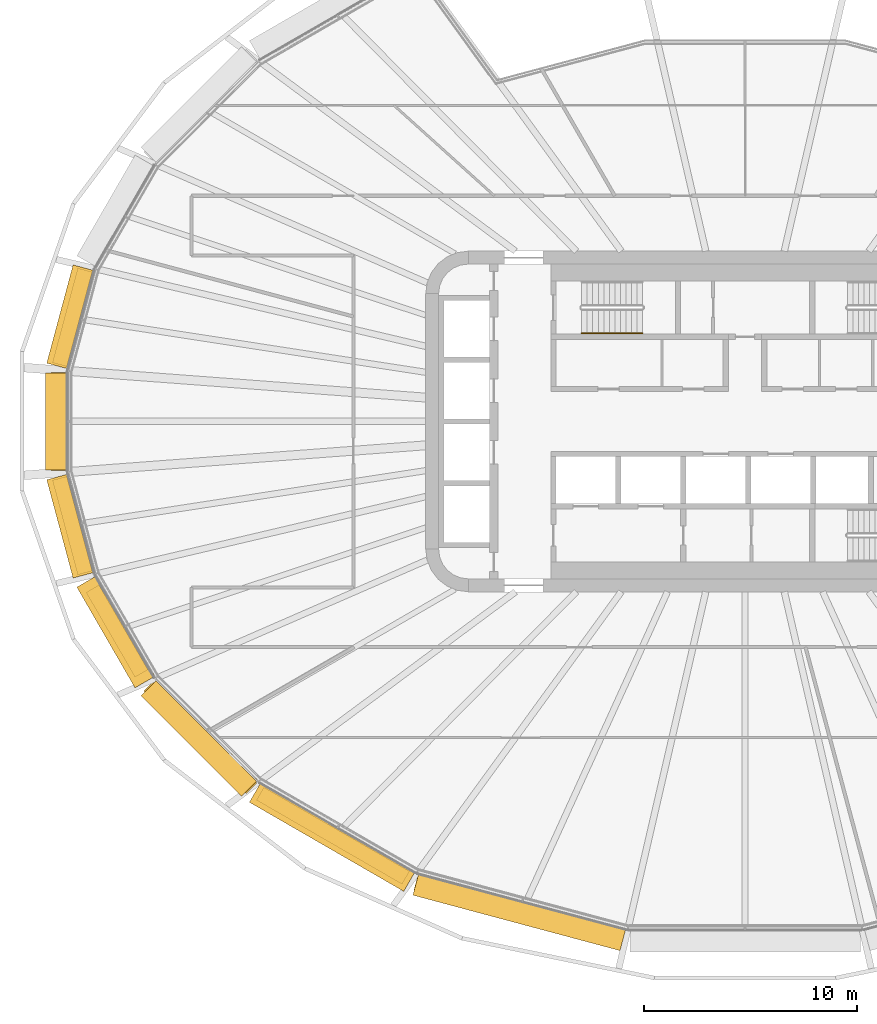
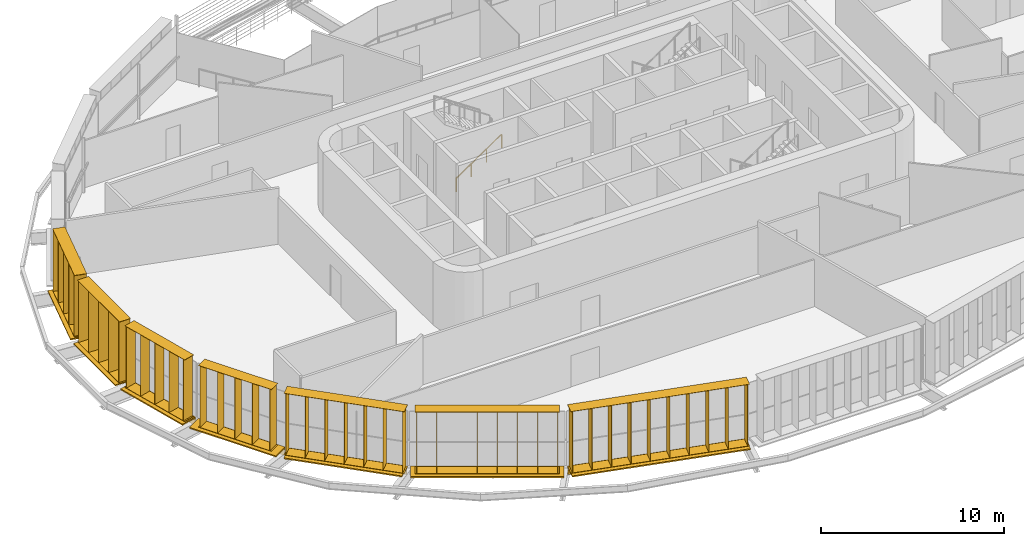
# One storey, part 19 of 24: 14 shading devices, 1 railing.
"""IFC4 building model written with IfcOpenShell, lengths in metres."""

from ifc_helpers import new_model, si_unit, direction, frame, origin, origin_2d, place, context, subcontext, project, spatial, rectangle, circle, extrude, material, type_object, element, save


model = new_model("IFC4")

# Units and contexts
model_context = context("Model", 3, precision=1e-05, world=origin(), true_north=direction((0.0, 1.0)))
body_context = subcontext(model_context, "Body", "Model", "MODEL_VIEW")
ifc_project = project(units=[si_unit("LENGTHUNIT", "METRE"), si_unit("AREAUNIT", "SQUARE_METRE"), si_unit("VOLUMEUNIT", "CUBIC_METRE"), si_unit("PLANEANGLEUNIT", "RADIAN"), si_unit("MASSUNIT", "GRAM", prefix="KILO")], contexts=[model_context])

# Site, building, storey
site_placement = place(None, origin())
site = spatial("IfcSite", under=ifc_project, at=site_placement, CompositionType="ELEMENT")
building_placement = place(site_placement, origin())
building = spatial("IfcBuilding", under=site, at=building_placement, Name="Sahrelin Media Tower", CompositionType="ELEMENT")
storey_placement = place(building_placement, frame((0.0, 0.0, 123.0)))
storey = spatial("IfcBuildingStorey", under=building, at=storey_placement, Name="L24", CompositionType="ELEMENT", Elevation=123.0)

# Shading devices
ifc_material_1 = material(Name="Champagne anodised aluminium 6063-T6", Category="aluminium")
shading_device_type_1 = type_object("IfcShadingDeviceType", Name="Fin cassette", PredefinedType="USERDEFINED", material=ifc_material_1)
placement_1 = place(storey_placement, frame((-31.198486328125, 4.78271484375, 0.0), z_axis=(0.0, 0.0, 1.0), x_axis=(0.258807731996, 0.965928857556, 0.0)))
element("IfcShadingDevice", 1, at=placement_1, inside=storey, type_object=shading_device_type_1, Name="L24:FIN:L24-11", ObjectType="FIN", PredefinedType="USERDEFINED", context=body_context, shape_type="SweptSolid", body=[
    extrude(rectangle(XDim=4.60009765625, YDim=0.699951171875, at=origin_2d()), frame((0.0, 0.419921875, 0.0)), (0.0, 0.0, 1.0), 0.02001953125),
    extrude(rectangle(XDim=4.60009765625, YDim=0.699951171875, at=origin_2d()), frame((0.0, 0.419921875, 4.10009765625)), (0.0, 0.0, 1.0), 0.02001953125),
    extrude(rectangle(XDim=0.02001953125, YDim=0.699951171875, at=origin_2d()), frame((-2.199951171875, 0.419921875, 0.010009765625), z_axis=(0.0, 0.0, 1.0), x_axis=(1.0, 0.0, 0.0)), (0.0, 0.0, 1.0), 4.10009765625),
    extrude(rectangle(XDim=0.02001953125, YDim=0.699951171875, at=origin_2d()), frame((-1.10009765625, 0.419921875, 0.010009765625), z_axis=(0.0, 0.0, 1.0), x_axis=(1.0, 0.0, 0.0)), (0.0, 0.0, 1.0), 4.10009765625),
    extrude(rectangle(XDim=0.02001953125, YDim=0.699951171875, at=origin_2d()), frame((0.0, 0.419921875, 0.010009765625), z_axis=(0.0, 0.0, 1.0), x_axis=(1.0, 0.0, 0.0)), (0.0, 0.0, 1.0), 4.10009765625),
    extrude(rectangle(XDim=0.02001953125, YDim=0.699951171875, at=origin_2d()), frame((1.10009765625, 0.419921875, 0.010009765625), z_axis=(0.0, 0.0, 1.0), x_axis=(1.0, 0.0, 0.0)), (0.0, 0.0, 1.0), 4.10009765625),
    extrude(rectangle(XDim=0.02001953125, YDim=0.699951171875, at=origin_2d()), frame((2.199951171875, 0.419921875, 0.010009765625), z_axis=(0.0, 0.0, 1.0), x_axis=(1.0, 0.0, 0.0)), (0.0, 0.0, 1.0), 4.10009765625),
])
placement_2 = place(storey_placement, frame((-31.84228515625, 0.0, 0.0), z_axis=(0.0, 0.0, 1.0), x_axis=(0.0, 1.0, 0.0)))
element("IfcShadingDevice", 2, at=placement_2, inside=storey, type_object=shading_device_type_1, Name="L24:FIN:L24-12", ObjectType="FIN", PredefinedType="USERDEFINED", context=body_context, shape_type="SweptSolid", body=[
    extrude(rectangle(XDim=4.60009765625, YDim=0.699951171875, at=origin_2d()), frame((0.0, 0.419921875, 0.0)), (0.0, 0.0, 1.0), 0.02001953125),
    extrude(rectangle(XDim=4.60009765625, YDim=0.699951171875, at=origin_2d()), frame((0.0, 0.419921875, 4.10009765625)), (0.0, 0.0, 1.0), 0.02001953125),
    extrude(rectangle(XDim=0.02001953125, YDim=0.699951171875, at=origin_2d()), frame((-2.199951171875, 0.419921875, 0.010009765625), z_axis=(0.0, 0.0, 1.0), x_axis=(1.0, 0.0, 0.0)), (0.0, 0.0, 1.0), 4.10009765625),
    extrude(rectangle(XDim=0.02001953125, YDim=0.699951171875, at=origin_2d()), frame((-1.10009765625, 0.419921875, 0.010009765625), z_axis=(0.0, 0.0, 1.0), x_axis=(1.0, 0.0, 0.0)), (0.0, 0.0, 1.0), 4.10009765625),
    extrude(rectangle(XDim=0.02001953125, YDim=0.699951171875, at=origin_2d()), frame((0.0, 0.419921875, 0.010009765625), z_axis=(0.0, 0.0, 1.0), x_axis=(1.0, 0.0, 0.0)), (0.0, 0.0, 1.0), 4.10009765625),
    extrude(rectangle(XDim=0.02001953125, YDim=0.699951171875, at=origin_2d()), frame((1.10009765625, 0.419921875, 0.010009765625), z_axis=(0.0, 0.0, 1.0), x_axis=(1.0, 0.0, 0.0)), (0.0, 0.0, 1.0), 4.10009765625),
    extrude(rectangle(XDim=0.02001953125, YDim=0.699951171875, at=origin_2d()), frame((2.199951171875, 0.419921875, 0.010009765625), z_axis=(0.0, 0.0, 1.0), x_axis=(1.0, 0.0, 0.0)), (0.0, 0.0, 1.0), 4.10009765625),
])
placement_3 = place(storey_placement, frame((-31.198486328125, -4.78271484375, 0.0), z_axis=(0.0, 0.0, 1.0), x_axis=(-0.258807731996, 0.965928857556, 0.0)))
element("IfcShadingDevice", 3, at=placement_3, inside=storey, type_object=shading_device_type_1, Name="L24:FIN:L24-13", ObjectType="FIN", PredefinedType="USERDEFINED", context=body_context, shape_type="SweptSolid", body=[
    extrude(rectangle(XDim=4.60009765625, YDim=0.699951171875, at=origin_2d()), frame((0.0, 0.419921875, 0.0)), (0.0, 0.0, 1.0), 0.02001953125),
    extrude(rectangle(XDim=4.60009765625, YDim=0.699951171875, at=origin_2d()), frame((0.0, 0.419921875, 4.10009765625)), (0.0, 0.0, 1.0), 0.02001953125),
    extrude(rectangle(XDim=0.02001953125, YDim=0.699951171875, at=origin_2d()), frame((-2.199951171875, 0.419921875, 0.010009765625), z_axis=(0.0, 0.0, 1.0), x_axis=(1.0, 0.0, 0.0)), (0.0, 0.0, 1.0), 4.10009765625),
    extrude(rectangle(XDim=0.02001953125, YDim=0.699951171875, at=origin_2d()), frame((-1.10009765625, 0.419921875, 0.010009765625), z_axis=(0.0, 0.0, 1.0), x_axis=(1.0, 0.0, 0.0)), (0.0, 0.0, 1.0), 4.10009765625),
    extrude(rectangle(XDim=0.02001953125, YDim=0.699951171875, at=origin_2d()), frame((0.0, 0.419921875, 0.010009765625), z_axis=(0.0, 0.0, 1.0), x_axis=(1.0, 0.0, 0.0)), (0.0, 0.0, 1.0), 4.10009765625),
    extrude(rectangle(XDim=0.02001953125, YDim=0.699951171875, at=origin_2d()), frame((1.10009765625, 0.419921875, 0.010009765625), z_axis=(0.0, 0.0, 1.0), x_axis=(1.0, 0.0, 0.0)), (0.0, 0.0, 1.0), 4.10009765625),
    extrude(rectangle(XDim=0.02001953125, YDim=0.699951171875, at=origin_2d()), frame((2.199951171875, 0.419921875, 0.010009765625), z_axis=(0.0, 0.0, 1.0), x_axis=(1.0, 0.0, 0.0)), (0.0, 0.0, 1.0), 4.10009765625),
])
placement_4 = place(storey_placement, frame((-29.138916015625, -9.63818359375, 0.0), z_axis=(0.0, 0.0, 1.0), x_axis=(-0.500011000363, 0.866019052629, 0.0)))
element("IfcShadingDevice", 4, at=placement_4, inside=storey, type_object=shading_device_type_1, Name="L24:FIN:L24-14", ObjectType="FIN", PredefinedType="USERDEFINED", context=body_context, shape_type="SweptSolid", body=[
    extrude(rectangle(XDim=4.60009765625, YDim=0.699951171875, at=origin_2d()), frame((0.0, 0.419921875, 0.0)), (0.0, 0.0, 1.0), 0.02001953125),
    extrude(rectangle(XDim=4.60009765625, YDim=0.699951171875, at=origin_2d()), frame((0.0, 0.419921875, 4.10009765625)), (0.0, 0.0, 1.0), 0.02001953125),
    extrude(rectangle(XDim=0.02001953125, YDim=0.699951171875, at=origin_2d()), frame((-2.199951171875, 0.419921875, 0.010009765625), z_axis=(0.0, 0.0, 1.0), x_axis=(1.0, 0.0, 0.0)), (0.0, 0.0, 1.0), 4.10009765625),
    extrude(rectangle(XDim=0.02001953125, YDim=0.699951171875, at=origin_2d()), frame((-1.10009765625, 0.419921875, 0.010009765625), z_axis=(0.0, 0.0, 1.0), x_axis=(1.0, 0.0, 0.0)), (0.0, 0.0, 1.0), 4.10009765625),
    extrude(rectangle(XDim=0.02001953125, YDim=0.699951171875, at=origin_2d()), frame((0.0, 0.419921875, 0.010009765625), z_axis=(0.0, 0.0, 1.0), x_axis=(1.0, 0.0, 0.0)), (0.0, 0.0, 1.0), 4.10009765625),
    extrude(rectangle(XDim=0.02001953125, YDim=0.699951171875, at=origin_2d()), frame((1.10009765625, 0.419921875, 0.010009765625), z_axis=(0.0, 0.0, 1.0), x_axis=(1.0, 0.0, 0.0)), (0.0, 0.0, 1.0), 4.10009765625),
    extrude(rectangle(XDim=0.02001953125, YDim=0.699951171875, at=origin_2d()), frame((2.199951171875, 0.419921875, 0.010009765625), z_axis=(0.0, 0.0, 1.0), x_axis=(1.0, 0.0, 0.0)), (0.0, 0.0, 1.0), 4.10009765625),
])
placement_5 = place(storey_placement, frame((-25.291259765625, -14.52197265625, 0.0), z_axis=(0.0, 0.0, 1.0), x_axis=(-0.707106781187, 0.707106781187, 0.0)))
element("IfcShadingDevice", 5, at=placement_5, inside=storey, type_object=shading_device_type_1, Name="L24:FIN:L24-15", ObjectType="FIN", PredefinedType="USERDEFINED", context=body_context, shape_type="SweptSolid", body=[
    extrude(rectangle(XDim=6.800048828125, YDim=0.699951171875, at=origin_2d()), frame((0.0, 0.419921875, 0.0)), (0.0, 0.0, 1.0), 0.02001953125),
    extrude(rectangle(XDim=6.800048828125, YDim=0.699951171875, at=origin_2d()), frame((0.0, 0.419921875, 4.10009765625)), (0.0, 0.0, 1.0), 0.02001953125),
    extrude(rectangle(XDim=0.02001953125, YDim=0.699951171875, at=origin_2d()), frame((-3.300048828125, 0.419921875, 0.010009765625), z_axis=(0.0, 0.0, 1.0), x_axis=(1.0, 0.0, 0.0)), (0.0, 0.0, 1.0), 4.10009765625),
    extrude(rectangle(XDim=0.02001953125, YDim=0.699951171875, at=origin_2d()), frame((-2.199951171875, 0.419921875, 0.010009765625), z_axis=(0.0, 0.0, 1.0), x_axis=(1.0, 0.0, 0.0)), (0.0, 0.0, 1.0), 4.10009765625),
    extrude(rectangle(XDim=0.02001953125, YDim=0.699951171875, at=origin_2d()), frame((-1.10009765625, 0.419921875, 0.010009765625), z_axis=(0.0, 0.0, 1.0), x_axis=(1.0, 0.0, 0.0)), (0.0, 0.0, 1.0), 4.10009765625),
    extrude(rectangle(XDim=0.02001953125, YDim=0.699951171875, at=origin_2d()), frame((0.0, 0.419921875, 0.010009765625), z_axis=(0.0, 0.0, 1.0), x_axis=(1.0, 0.0, 0.0)), (0.0, 0.0, 1.0), 4.10009765625),
    extrude(rectangle(XDim=0.02001953125, YDim=0.699951171875, at=origin_2d()), frame((1.10009765625, 0.419921875, 0.010009765625), z_axis=(0.0, 0.0, 1.0), x_axis=(1.0, 0.0, 0.0)), (0.0, 0.0, 1.0), 4.10009765625),
    extrude(rectangle(XDim=0.02001953125, YDim=0.699951171875, at=origin_2d()), frame((2.199951171875, 0.419921875, 0.010009765625), z_axis=(0.0, 0.0, 1.0), x_axis=(1.0, 0.0, 0.0)), (0.0, 0.0, 1.0), 4.10009765625),
    extrude(rectangle(XDim=0.02001953125, YDim=0.699951171875, at=origin_2d()), frame((3.300048828125, 0.419921875, 0.010009765625), z_axis=(0.0, 0.0, 1.0), x_axis=(1.0, 0.0, 0.0)), (0.0, 0.0, 1.0), 4.10009765625),
])
placement_6 = place(storey_placement, frame((-19.147216796875, -19.09716796875, 0.0), z_axis=(0.0, 0.0, 1.0), x_axis=(-0.866019052629, 0.500011000363, 0.0)))
element("IfcShadingDevice", 6, at=placement_6, inside=storey, type_object=shading_device_type_1, Name="L24:FIN:L24-16", ObjectType="FIN", PredefinedType="USERDEFINED", context=body_context, shape_type="SweptSolid", body=[
    extrude(rectangle(XDim=7.89990234375, YDim=0.699951171875, at=origin_2d()), frame((0.0, 0.419921875, 0.0)), (0.0, 0.0, 1.0), 0.02001953125),
    extrude(rectangle(XDim=7.89990234375, YDim=0.699951171875, at=origin_2d()), frame((0.0, 0.419921875, 4.10009765625)), (0.0, 0.0, 1.0), 0.02001953125),
    extrude(rectangle(XDim=0.02001953125, YDim=0.699951171875, at=origin_2d()), frame((-3.85009765625, 0.419921875, 0.010009765625), z_axis=(0.0, 0.0, 1.0), x_axis=(1.0, 0.0, 0.0)), (0.0, 0.0, 1.0), 4.10009765625),
    extrude(rectangle(XDim=0.02001953125, YDim=0.699951171875, at=origin_2d()), frame((-2.75, 0.419921875, 0.010009765625), z_axis=(0.0, 0.0, 1.0), x_axis=(1.0, 0.0, 0.0)), (0.0, 0.0, 1.0), 4.10009765625),
    extrude(rectangle(XDim=0.02001953125, YDim=0.699951171875, at=origin_2d()), frame((-1.64990234375, 0.419921875, 0.010009765625), z_axis=(0.0, 0.0, 1.0), x_axis=(1.0, 0.0, 0.0)), (0.0, 0.0, 1.0), 4.10009765625),
    extrude(rectangle(XDim=0.02001953125, YDim=0.699951171875, at=origin_2d()), frame((-0.550048828125, 0.419921875, 0.010009765625), z_axis=(0.0, 0.0, 1.0), x_axis=(1.0, 0.0, 0.0)), (0.0, 0.0, 1.0), 4.10009765625),
    extrude(rectangle(XDim=0.02001953125, YDim=0.699951171875, at=origin_2d()), frame((0.550048828125, 0.419921875, 0.010009765625), z_axis=(0.0, 0.0, 1.0), x_axis=(1.0, 0.0, 0.0)), (0.0, 0.0, 1.0), 4.10009765625),
    extrude(rectangle(XDim=0.02001953125, YDim=0.699951171875, at=origin_2d()), frame((1.64990234375, 0.419921875, 0.010009765625), z_axis=(0.0, 0.0, 1.0), x_axis=(1.0, 0.0, 0.0)), (0.0, 0.0, 1.0), 4.10009765625),
    extrude(rectangle(XDim=0.02001953125, YDim=0.699951171875, at=origin_2d()), frame((2.75, 0.419921875, 0.010009765625), z_axis=(0.0, 0.0, 1.0), x_axis=(1.0, 0.0, 0.0)), (0.0, 0.0, 1.0), 4.10009765625),
    extrude(rectangle(XDim=0.02001953125, YDim=0.699951171875, at=origin_2d()), frame((3.85009765625, 0.419921875, 0.010009765625), z_axis=(0.0, 0.0, 1.0), x_axis=(1.0, 0.0, 0.0)), (0.0, 0.0, 1.0), 4.10009765625),
])
placement_7 = place(storey_placement, frame((-10.474609375, -22.569580078125, 0.0), z_axis=(0.0, 0.0, 1.0), x_axis=(-0.965928857556, 0.258807731996, 0.0)))
element("IfcShadingDevice", 7, at=placement_7, inside=storey, type_object=shading_device_type_1, Name="L24:FIN:L24-17", ObjectType="FIN", PredefinedType="USERDEFINED", context=body_context, shape_type="SweptSolid", body=[
    extrude(rectangle(XDim=10.10009765625, YDim=0.699951171875, at=origin_2d()), frame((0.0, 0.419921875, 0.0)), (0.0, 0.0, 1.0), 0.02001953125),
    extrude(rectangle(XDim=10.10009765625, YDim=0.699951171875, at=origin_2d()), frame((0.0, 0.419921875, 4.10009765625)), (0.0, 0.0, 1.0), 0.02001953125),
    extrude(rectangle(XDim=0.02001953125, YDim=0.699951171875, at=origin_2d()), frame((-4.949951171875, 0.419921875, 0.010009765625), z_axis=(0.0, 0.0, 1.0), x_axis=(1.0, 0.0, 0.0)), (0.0, 0.0, 1.0), 4.10009765625),
    extrude(rectangle(XDim=0.02001953125, YDim=0.699951171875, at=origin_2d()), frame((-3.85009765625, 0.419921875, 0.010009765625), z_axis=(0.0, 0.0, 1.0), x_axis=(1.0, 0.0, 0.0)), (0.0, 0.0, 1.0), 4.10009765625),
    extrude(rectangle(XDim=0.02001953125, YDim=0.699951171875, at=origin_2d()), frame((-2.75, 0.419921875, 0.010009765625), z_axis=(0.0, 0.0, 1.0), x_axis=(1.0, 0.0, 0.0)), (0.0, 0.0, 1.0), 4.10009765625),
    extrude(rectangle(XDim=0.02001953125, YDim=0.699951171875, at=origin_2d()), frame((-1.64990234375, 0.419921875, 0.010009765625), z_axis=(0.0, 0.0, 1.0), x_axis=(1.0, 0.0, 0.0)), (0.0, 0.0, 1.0), 4.10009765625),
    extrude(rectangle(XDim=0.02001953125, YDim=0.699951171875, at=origin_2d()), frame((-0.550048828125, 0.419921875, 0.010009765625), z_axis=(0.0, 0.0, 1.0), x_axis=(1.0, 0.0, 0.0)), (0.0, 0.0, 1.0), 4.10009765625),
    extrude(rectangle(XDim=0.02001953125, YDim=0.699951171875, at=origin_2d()), frame((0.550048828125, 0.419921875, 0.010009765625), z_axis=(0.0, 0.0, 1.0), x_axis=(1.0, 0.0, 0.0)), (0.0, 0.0, 1.0), 4.10009765625),
    extrude(rectangle(XDim=0.02001953125, YDim=0.699951171875, at=origin_2d()), frame((1.64990234375, 0.419921875, 0.010009765625), z_axis=(0.0, 0.0, 1.0), x_axis=(1.0, 0.0, 0.0)), (0.0, 0.0, 1.0), 4.10009765625),
    extrude(rectangle(XDim=0.02001953125, YDim=0.699951171875, at=origin_2d()), frame((2.75, 0.419921875, 0.010009765625), z_axis=(0.0, 0.0, 1.0), x_axis=(1.0, 0.0, 0.0)), (0.0, 0.0, 1.0), 4.10009765625),
    extrude(rectangle(XDim=0.02001953125, YDim=0.699951171875, at=origin_2d()), frame((3.85009765625, 0.419921875, 0.010009765625), z_axis=(0.0, 0.0, 1.0), x_axis=(1.0, 0.0, 0.0)), (0.0, 0.0, 1.0), 4.10009765625),
    extrude(rectangle(XDim=0.02001953125, YDim=0.699951171875, at=origin_2d()), frame((4.949951171875, 0.419921875, 0.010009765625), z_axis=(0.0, 0.0, 1.0), x_axis=(1.0, 0.0, 0.0)), (0.0, 0.0, 1.0), 4.10009765625),
])

# Railing
ifc_material_2 = material(Name="Steel S355", Category="steel")
railing_type = type_object("IfcRailingType", Name="Stair handrail 900", PredefinedType="HANDRAIL", material=ifc_material_2)
railing_placement = place(storey_placement, frame((-7.675048828125, 4.14990234375, 0.175048828125)))
element("IfcRailing", 8, at=railing_placement, inside=storey, type_object=railing_type, Name="L24 ST1 stair handrail 1", PredefinedType="HANDRAIL", context=body_context, shape_type="SweptSolid", body=[
    extrude(circle(Radius=0.02392578125, at=origin_2d()), frame((0.0, 0.0, 0.8759765625), z_axis=(0.829590901723, 0.0, 0.558371682465), x_axis=(0.0, 1.0, 0.0)), (0.0, 0.0, 1.0), 3.447509765625),
    extrude(circle(Radius=0.02099609375, at=origin_2d()), origin(), (0.0, 0.0, 1.0), 0.851806640625),
    extrude(circle(Radius=0.02099609375, at=origin_2d()), frame((0.953369140625, 0.0, 0.6416015625)), (0.0, 0.0, 1.0), 0.851806640625),
    extrude(circle(Radius=0.02099609375, at=origin_2d()), frame((1.90673828125, 0.0, 1.283447265625)), (0.0, 0.0, 1.0), 0.851806640625),
    extrude(circle(Radius=0.02099609375, at=origin_2d()), frame((2.860107421875, 0.0, 1.925048828125)), (0.0, 0.0, 1.0), 0.851806640625),
])

# Shading devices
shading_device_type_2 = type_object("IfcShadingDeviceType", Name="Sunshade band", PredefinedType="USERDEFINED", material=ifc_material_1)
element("IfcShadingDevice", 9, at=placement_1, inside=storey, type_object=shading_device_type_2, Name="L24:SUN:L24-11", ObjectType="SUNSHADE", PredefinedType="USERDEFINED", context=body_context, shape_type="SweptSolid", body=[
    extrude(rectangle(XDim=4.776611328125, YDim=0.050048828125, at=origin_2d()), frame((0.0, 0.044921875, -0.55126953125)), (0.0, 0.0, 1.0), 0.471435546875),
    extrude(rectangle(XDim=4.776611328125, YDim=1.0, at=origin_2d()), frame((0.0, 0.52001953125, -0.080078125)), (0.0, 0.0, 1.0), 0.080078125),
    extrude(rectangle(XDim=0.10009765625, YDim=0.074951171875, at=origin_2d()), frame((-2.288330078125, -0.017578125, -0.47021484375)), (0.0, 0.0, 1.0), 0.300048828125),
    extrude(rectangle(XDim=0.10009765625, YDim=0.074951171875, at=origin_2d()), frame((-0.7626953125, -0.017578125, -0.47021484375)), (0.0, 0.0, 1.0), 0.300048828125),
    extrude(rectangle(XDim=0.10009765625, YDim=0.074951171875, at=origin_2d()), frame((0.7626953125, -0.017578125, -0.47021484375)), (0.0, 0.0, 1.0), 0.300048828125),
    extrude(rectangle(XDim=0.10009765625, YDim=0.074951171875, at=origin_2d()), frame((2.288330078125, -0.017578125, -0.47021484375)), (0.0, 0.0, 1.0), 0.300048828125),
])
element("IfcShadingDevice", 10, at=placement_2, inside=storey, type_object=shading_device_type_2, Name="L24:SUN:L24-12", ObjectType="SUNSHADE", PredefinedType="USERDEFINED", context=body_context, shape_type="SweptSolid", body=[
    extrude(rectangle(XDim=4.558349609375, YDim=0.050048828125, at=origin_2d()), frame((0.0, 0.044921875, -0.55126953125)), (0.0, 0.0, 1.0), 0.471435546875),
    extrude(rectangle(XDim=4.558349609375, YDim=1.0, at=origin_2d()), frame((0.0, 0.52001953125, -0.080078125)), (0.0, 0.0, 1.0), 0.080078125),
    extrude(rectangle(XDim=0.10009765625, YDim=0.074951171875, at=origin_2d()), frame((-2.17919921875, -0.017578125, -0.47021484375)), (0.0, 0.0, 1.0), 0.300048828125),
    extrude(rectangle(XDim=0.10009765625, YDim=0.074951171875, at=origin_2d()), frame((-0.726318359375, -0.017578125, -0.47021484375)), (0.0, 0.0, 1.0), 0.300048828125),
    extrude(rectangle(XDim=0.10009765625, YDim=0.074951171875, at=origin_2d()), frame((0.726318359375, -0.017578125, -0.47021484375)), (0.0, 0.0, 1.0), 0.300048828125),
    extrude(rectangle(XDim=0.10009765625, YDim=0.074951171875, at=origin_2d()), frame((2.17919921875, -0.017578125, -0.47021484375)), (0.0, 0.0, 1.0), 0.300048828125),
])
element("IfcShadingDevice", 11, at=placement_3, inside=storey, type_object=shading_device_type_2, Name="L24:SUN:L24-13", ObjectType="SUNSHADE", PredefinedType="USERDEFINED", context=body_context, shape_type="SweptSolid", body=[
    extrude(rectangle(XDim=4.776611328125, YDim=0.050048828125, at=origin_2d()), frame((0.0, 0.044921875, -0.55126953125)), (0.0, 0.0, 1.0), 0.471435546875),
    extrude(rectangle(XDim=4.776611328125, YDim=1.0, at=origin_2d()), frame((0.0, 0.52001953125, -0.080078125)), (0.0, 0.0, 1.0), 0.080078125),
    extrude(rectangle(XDim=0.10009765625, YDim=0.074951171875, at=origin_2d()), frame((-2.288330078125, -0.017578125, -0.47021484375)), (0.0, 0.0, 1.0), 0.300048828125),
    extrude(rectangle(XDim=0.10009765625, YDim=0.074951171875, at=origin_2d()), frame((-0.7626953125, -0.017578125, -0.47021484375)), (0.0, 0.0, 1.0), 0.300048828125),
    extrude(rectangle(XDim=0.10009765625, YDim=0.074951171875, at=origin_2d()), frame((0.7626953125, -0.017578125, -0.47021484375)), (0.0, 0.0, 1.0), 0.300048828125),
    extrude(rectangle(XDim=0.10009765625, YDim=0.074951171875, at=origin_2d()), frame((2.288330078125, -0.017578125, -0.47021484375)), (0.0, 0.0, 1.0), 0.300048828125),
])
element("IfcShadingDevice", 12, at=placement_4, inside=storey, type_object=shading_device_type_2, Name="L24:SUN:L24-14", ObjectType="SUNSHADE", PredefinedType="USERDEFINED", context=body_context, shape_type="SweptSolid", body=[
    extrude(rectangle(XDim=5.46240234375, YDim=0.050048828125, at=origin_2d()), frame((0.0, 0.044921875, -0.55126953125)), (0.0, 0.0, 1.0), 0.471435546875),
    extrude(rectangle(XDim=5.46240234375, YDim=1.0, at=origin_2d()), frame((0.0, 0.52001953125, -0.080078125)), (0.0, 0.0, 1.0), 0.080078125),
    extrude(rectangle(XDim=0.10009765625, YDim=0.074951171875, at=origin_2d()), frame((-2.631103515625, -0.017578125, -0.47021484375)), (0.0, 0.0, 1.0), 0.300048828125),
    extrude(rectangle(XDim=0.10009765625, YDim=0.074951171875, at=origin_2d()), frame((-0.877197265625, -0.017578125, -0.47021484375)), (0.0, 0.0, 1.0), 0.300048828125),
    extrude(rectangle(XDim=0.10009765625, YDim=0.074951171875, at=origin_2d()), frame((0.877197265625, -0.017578125, -0.47021484375)), (0.0, 0.0, 1.0), 0.300048828125),
    extrude(rectangle(XDim=0.10009765625, YDim=0.074951171875, at=origin_2d()), frame((2.631103515625, -0.017578125, -0.47021484375)), (0.0, 0.0, 1.0), 0.300048828125),
])
element("IfcShadingDevice", 13, at=placement_5, inside=storey, type_object=shading_device_type_2, Name="L24:SUN:L24-15", ObjectType="SUNSHADE", PredefinedType="USERDEFINED", context=body_context, shape_type="SweptSolid", body=[
    extrude(rectangle(XDim=6.6787109375, YDim=0.050048828125, at=origin_2d()), frame((0.0, 0.044921875, -0.55126953125)), (0.0, 0.0, 1.0), 0.471435546875),
    extrude(rectangle(XDim=6.6787109375, YDim=1.0, at=origin_2d()), frame((0.0, 0.52001953125, -0.080078125)), (0.0, 0.0, 1.0), 0.080078125),
    extrude(rectangle(XDim=0.10009765625, YDim=0.074951171875, at=origin_2d()), frame((-3.239501953125, -0.017578125, -0.47021484375)), (0.0, 0.0, 1.0), 0.300048828125),
    extrude(rectangle(XDim=0.10009765625, YDim=0.074951171875, at=origin_2d()), frame((-1.61962890625, -0.017578125, -0.47021484375)), (0.0, 0.0, 1.0), 0.300048828125),
    extrude(rectangle(XDim=0.10009765625, YDim=0.074951171875, at=origin_2d()), frame((0.0, -0.017578125, -0.47021484375)), (0.0, 0.0, 1.0), 0.300048828125),
    extrude(rectangle(XDim=0.10009765625, YDim=0.074951171875, at=origin_2d()), frame((1.61962890625, -0.017578125, -0.47021484375)), (0.0, 0.0, 1.0), 0.300048828125),
    extrude(rectangle(XDim=0.10009765625, YDim=0.074951171875, at=origin_2d()), frame((3.239501953125, -0.017578125, -0.47021484375)), (0.0, 0.0, 1.0), 0.300048828125),
])
element("IfcShadingDevice", 14, at=placement_6, inside=storey, type_object=shading_device_type_2, Name="L24:SUN:L24-16", ObjectType="SUNSHADE", PredefinedType="USERDEFINED", context=body_context, shape_type="SweptSolid", body=[
    extrude(rectangle(XDim=8.37255859375, YDim=0.050048828125, at=origin_2d()), frame((0.0, 0.044921875, -0.55126953125)), (0.0, 0.0, 1.0), 0.471435546875),
    extrude(rectangle(XDim=8.37255859375, YDim=1.0, at=origin_2d()), frame((0.0, 0.52001953125, -0.080078125)), (0.0, 0.0, 1.0), 0.080078125),
    extrude(rectangle(XDim=0.10009765625, YDim=0.074951171875, at=origin_2d()), frame((-4.086181640625, -0.017578125, -0.47021484375)), (0.0, 0.0, 1.0), 0.300048828125),
    extrude(rectangle(XDim=0.10009765625, YDim=0.074951171875, at=origin_2d()), frame((-2.451904296875, -0.017578125, -0.47021484375)), (0.0, 0.0, 1.0), 0.300048828125),
    extrude(rectangle(XDim=0.10009765625, YDim=0.074951171875, at=origin_2d()), frame((-0.8173828125, -0.017578125, -0.47021484375)), (0.0, 0.0, 1.0), 0.300048828125),
    extrude(rectangle(XDim=0.10009765625, YDim=0.074951171875, at=origin_2d()), frame((0.8173828125, -0.017578125, -0.47021484375)), (0.0, 0.0, 1.0), 0.300048828125),
    extrude(rectangle(XDim=0.10009765625, YDim=0.074951171875, at=origin_2d()), frame((2.451904296875, -0.017578125, -0.47021484375)), (0.0, 0.0, 1.0), 0.300048828125),
    extrude(rectangle(XDim=0.10009765625, YDim=0.074951171875, at=origin_2d()), frame((4.086181640625, -0.017578125, -0.47021484375)), (0.0, 0.0, 1.0), 0.300048828125),
])
element("IfcShadingDevice", 15, at=placement_7, inside=storey, type_object=shading_device_type_2, Name="L24:SUN:L24-17", ObjectType="SUNSHADE", PredefinedType="USERDEFINED", context=body_context, shape_type="SweptSolid", body=[
    extrude(rectangle(XDim=10.071533203125, YDim=0.050048828125, at=origin_2d()), frame((0.0, 0.044921875, -0.55126953125)), (0.0, 0.0, 1.0), 0.471435546875),
    extrude(rectangle(XDim=10.071533203125, YDim=1.0, at=origin_2d()), frame((0.0, 0.52001953125, -0.080078125)), (0.0, 0.0, 1.0), 0.080078125),
    extrude(rectangle(XDim=0.10009765625, YDim=0.074951171875, at=origin_2d()), frame((-4.935791015625, -0.017578125, -0.47021484375)), (0.0, 0.0, 1.0), 0.300048828125),
    extrude(rectangle(XDim=0.10009765625, YDim=0.074951171875, at=origin_2d()), frame((-3.29052734375, -0.017578125, -0.47021484375)), (0.0, 0.0, 1.0), 0.300048828125),
    extrude(rectangle(XDim=0.10009765625, YDim=0.074951171875, at=origin_2d()), frame((-1.645263671875, -0.017578125, -0.47021484375)), (0.0, 0.0, 1.0), 0.300048828125),
    extrude(rectangle(XDim=0.10009765625, YDim=0.074951171875, at=origin_2d()), frame((0.0, -0.017578125, -0.47021484375)), (0.0, 0.0, 1.0), 0.300048828125),
    extrude(rectangle(XDim=0.10009765625, YDim=0.074951171875, at=origin_2d()), frame((1.645263671875, -0.017578125, -0.47021484375)), (0.0, 0.0, 1.0), 0.300048828125),
    extrude(rectangle(XDim=0.10009765625, YDim=0.074951171875, at=origin_2d()), frame((3.29052734375, -0.017578125, -0.47021484375)), (0.0, 0.0, 1.0), 0.300048828125),
    extrude(rectangle(XDim=0.10009765625, YDim=0.074951171875, at=origin_2d()), frame((4.935791015625, -0.017578125, -0.47021484375)), (0.0, 0.0, 1.0), 0.300048828125),
])

save(model, "model.ifc")
